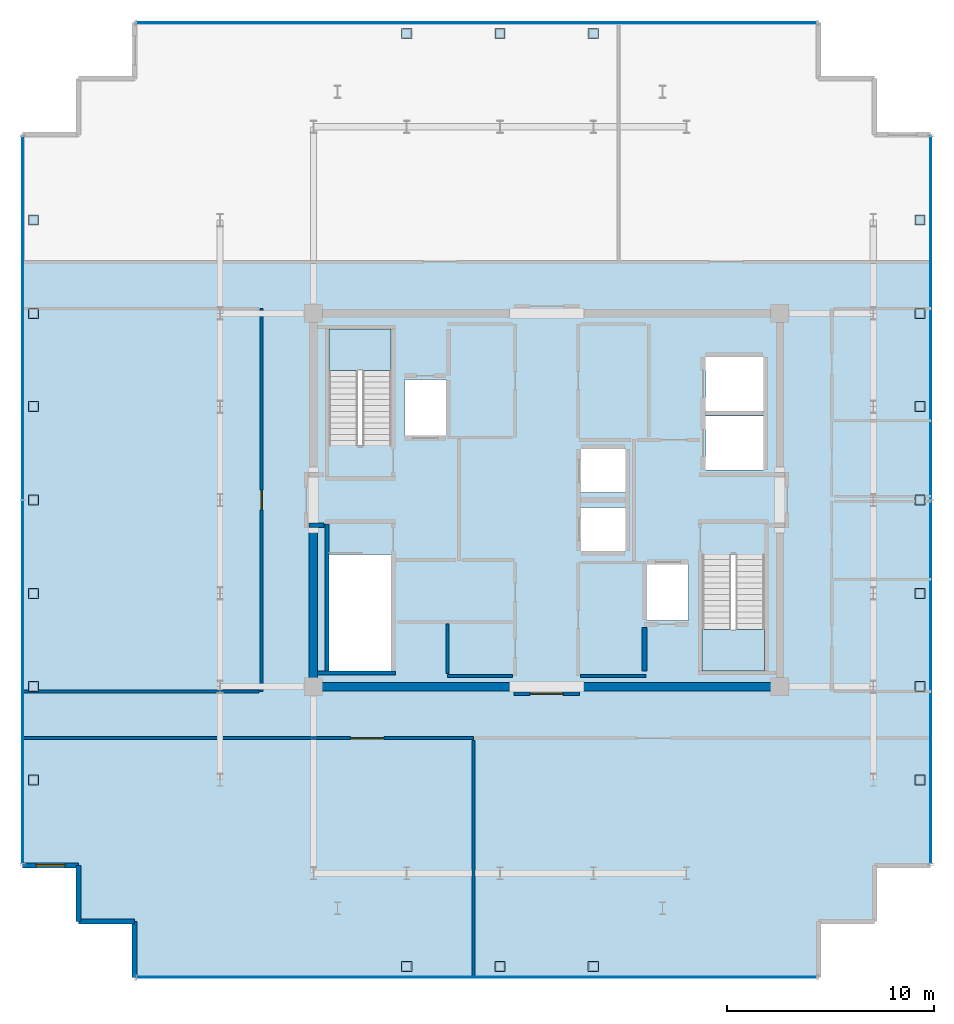
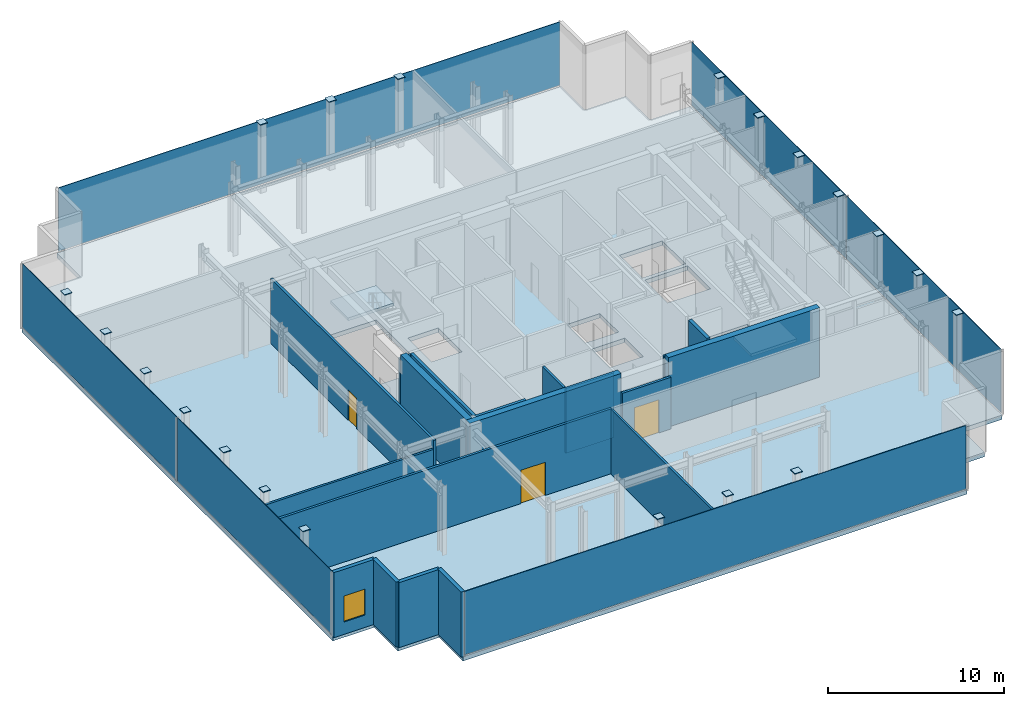
# One storey, part 12 of 17: 26 plates, 19 walls, 3 doors, 3 slabs, 1 window, 4 openings, 6 elements without a shape of their own.
"""IFC4 building model written with IfcOpenShell, lengths in metres."""

from ifc_helpers import new_model, si_unit, direction, frame, frame_2d, origin, origin_2d, place, context, subcontext, project, spatial, polyline, rectangle, outline, extrude, source, transform, mapped, material, layer, layer_set, type_object, element, fill, aggregate, save


model = new_model("IFC4")

# Units and contexts
model_context = context("Model", 3, precision=1e-05, world=origin(), true_north=direction((0.0, 1.0)))
body_context = subcontext(model_context, "Body", "Model", "MODEL_VIEW")
ifc_project = project(units=[si_unit("LENGTHUNIT", "METRE"), si_unit("AREAUNIT", "SQUARE_METRE"), si_unit("VOLUMEUNIT", "CUBIC_METRE"), si_unit("PLANEANGLEUNIT", "RADIAN"), si_unit("MASSUNIT", "GRAM", prefix="KILO")], contexts=[model_context])

# Site, building, storey
site_placement = place(None, origin())
site = spatial("IfcSite", under=ifc_project, at=site_placement, CompositionType="ELEMENT")
building_placement = place(site_placement, origin())
building = spatial("IfcBuilding", under=site, at=building_placement, Name="Nefas-Gora Pilgrimage Tower", CompositionType="ELEMENT")
storey_placement = place(building_placement, frame((0.0, 0.0, 353.800048828125)))
storey = spatial("IfcBuildingStorey", under=building, at=storey_placement, Name="L89", CompositionType="ELEMENT", Elevation=353.800048828125)

# Slab
ifc_material_1 = material(Name="Concrete C45/55", Category="concrete")
ifc_layer_1 = layer(ifc_material_1, 0.300048828125)
ifc_layer_set_1 = layer_set([ifc_layer_1], Name="Concrete C45/55")
slab_type_1 = type_object("IfcSlabType", Name="SLB-SPEC-300", PredefinedType="FLOOR", material=ifc_layer_set_1)
slab_1_placement = place(storey_placement, frame((0.0, 0.0, -0.300048828125)))
element("IfcSlab", 1, at=slab_1_placement, inside=storey, type_object=slab_type_1, Name="L89 Structural Floor Slab", PredefinedType="FLOOR", context=body_context, shape_type="SweptSolid", body=[
    extrude(outline(polyline([(18.52001953125, 17.6201171875), (15.820068359375, 17.6201171875), (15.820068359375, 20.320068359375), (13.1201171875, 20.320068359375), (13.1201171875, 23.02001953125), (-19.8701171875, 23.02001953125), (-19.8701171875, 20.320068359375), (-22.570068359375, 20.320068359375), (-22.570068359375, 17.6201171875), (-25.27001953125, 17.6201171875), (-25.27001953125, -17.6201171875), (-22.570068359375, -17.6201171875), (-22.570068359375, -20.320068359375), (-19.8701171875, -20.320068359375), (-19.8701171875, -23.02001953125), (13.1201171875, -23.02001953125), (13.1201171875, -20.320068359375), (15.820068359375, -20.320068359375), (15.820068359375, -17.6201171875), (18.52001953125, -17.6201171875), (18.52001953125, 17.6201171875)]), holes=[polyline([(-10.5, 2.639892578125), (-10.5, 8.25), (-7.5, 8.25), (-7.5, 2.639892578125), (-10.5, 2.639892578125)]), polyline([(10.5, -2.639892578125), (10.5, -8.25), (7.5, -8.25), (7.5, -2.639892578125), (10.5, -2.639892578125)]), polyline([(-7.5, -2.639892578125), (-7.5, -8.25), (-10.5, -8.25), (-10.5, -2.639892578125), (-7.5, -2.639892578125)]), polyline([(-6.85009765625, 5.800048828125), (-4.85009765625, 5.800048828125), (-4.85009765625, 3.10009765625), (-6.85009765625, 3.10009765625), (-6.85009765625, 5.800048828125)]), polyline([(4.85009765625, -3.10009765625), (6.85009765625, -3.10009765625), (6.85009765625, -5.800048828125), (4.85009765625, -5.800048828125), (4.85009765625, -3.10009765625)]), polyline([(7.64990234375, 4.050048828125), (10.449951171875, 4.050048828125), (10.449951171875, 1.449951171875), (7.64990234375, 1.449951171875), (7.64990234375, 4.050048828125)]), polyline([(7.64990234375, 6.89990234375), (10.449951171875, 6.89990234375), (10.449951171875, 4.300048828125), (7.64990234375, 4.300048828125), (7.64990234375, 6.89990234375)]), polyline([(1.64990234375, -0.35009765625), (3.800048828125, -0.35009765625), (3.800048828125, -2.449951171875), (1.64990234375, -2.449951171875), (1.64990234375, -0.35009765625)]), polyline([(1.64990234375, 2.449951171875), (3.800048828125, 2.449951171875), (3.800048828125, 0.35009765625), (1.64990234375, 0.35009765625), (1.64990234375, 2.449951171875)])]), origin(), (0.0, 0.0, 1.0), 0.300048828125),
])

# Stair, slab
stair_type = type_object("IfcStairType", Name="STR-1400-R1714", PredefinedType="HALF_TURN_STAIR", material=ifc_material_1)
stair_1_placement = place(storey_placement, origin())
stair_1 = element("IfcStair", 2, at=stair_1_placement, inside=storey, type_object=stair_type, Name="L89 Pressurised Tower Exit Stair ST-01", PredefinedType="HALF_TURN_STAIR")
ifc_material_2 = material(Name="Concrete C40/50", Category="concrete")
ifc_layer_2 = layer(ifc_material_2, 0.199951171875)
ifc_layer_set_2 = layer_set([ifc_layer_2], Name="Concrete C40/50")
slab_type_2 = type_object("IfcSlabType", Name="STR-LAND-200", PredefinedType="LANDING", material=ifc_layer_set_2)
slab_2_placement = place(storey_placement, frame((0.0, 0.0, 2.199951171875)))
slab_2 = element("IfcSlab", 3, at=slab_2_placement, type_object=slab_type_2, Name="ST-01 landing 1", PredefinedType="LANDING", context=body_context, shape_type="SweptSolid", body=[
    extrude(outline(polyline([(-7.5, 6.239990234375), (-7.5, 8.25), (-10.5, 8.25), (-10.5, 6.239990234375), (-7.5, 6.239990234375)])), origin(), (0.0, 0.0, 1.0), 0.199951171875),
])
aggregate(stair_1, [slab_2])

stair_2_placement = place(storey_placement, origin())
stair_2 = element("IfcStair", 4, at=stair_2_placement, inside=storey, type_object=stair_type, Name="L89 Pressurised Tower Exit Stair ST-02", PredefinedType="HALF_TURN_STAIR")
slab_3_placement = place(storey_placement, frame((0.0, 0.0, 2.199951171875)))
slab_3 = element("IfcSlab", 5, at=slab_3_placement, type_object=slab_type_2, Name="ST-02 landing 1", PredefinedType="LANDING", context=body_context, shape_type="SweptSolid", body=[
    extrude(outline(polyline([(7.5, -6.239990234375), (7.5, -8.25), (10.5, -8.25), (10.5, -6.239990234375), (7.5, -6.239990234375)])), origin(), (0.0, 0.0, 1.0), 0.199951171875),
])
aggregate(stair_2, [slab_3])

# Plates
ifc_material_3 = material(Name="Steel S460", Category="steel")
ifc_layer_3 = layer(ifc_material_3, 0.0400390625)
ifc_layer_set_3 = layer_set([ifc_layer_3], Name="Steel S460")
plate_type_1 = type_object("IfcPlateType", Name="PLT-ENDCAP-40", PredefinedType="SHEET", material=ifc_layer_set_3)
shared_shape_1 = source(origin(), body_context, "Body", "SweptSolid", [
    extrude(rectangle(XDim=0.488037109375, YDim=0.47998046875, at=origin_2d()), origin(), (0.0, 0.0, 1.0), 0.050048828125),
])
for number, where, z_axis, x_axis, name in (
    (6, (-24.75, -13.5, 4.77490234375), (0.0, 0.0, 1.0), (1.0, 0.0, 0.0), "L89 Setback Hollow Column Top Cap Plate 56"),
    (7, (-24.75, -9.0, 4.77490234375), (0.0, 0.0, 1.0), (1.0, 0.0, 0.0), "L89 Setback Hollow Column Top Cap Plate 57"),
    (8, (-24.75, -4.5, 4.77490234375), (0.0, 0.0, 1.0), (1.0, 0.0, 0.0), "L89 Setback Hollow Column Top Cap Plate 58"),
    (9, (-24.75, 0.0, 4.77490234375), (0.0, 0.0, 1.0), (1.0, 0.0, 0.0), "L89 Setback Hollow Column Top Cap Plate 59"),
    (10, (-24.75, 4.5, 4.77490234375), (0.0, 0.0, 1.0), (1.0, 0.0, 0.0), "L89 Setback Hollow Column Top Cap Plate 60"),
    (11, (-24.75, 9.0, 4.77490234375), (0.0, 0.0, 1.0), (1.0, 0.0, 0.0), "L89 Setback Hollow Column Top Cap Plate 61"),
    (12, (-24.75, 13.5, 4.77490234375), (0.0, 0.0, 1.0), (1.0, 0.0, 0.0), "L89 Setback Hollow Column Top Cap Plate 62"),
    (13, (-6.75, -22.5, 4.77490234375), (0.0, 0.0, 1.0), (1.0, 0.0, 0.0), "L89 Setback Hollow Column Top Cap Plate 63"),
    (14, (-6.75, 22.5, 4.77490234375), (0.0, 0.0, 1.0), (1.0, 0.0, 0.0), "L89 Setback Hollow Column Top Cap Plate 64"),
    (15, (-2.25, -22.5, 4.77490234375), (0.0, 0.0, 1.0), (1.0, 0.0, 0.0), "L89 Setback Hollow Column Top Cap Plate 65"),
    (16, (-2.25, 22.5, 4.77490234375), (0.0, 0.0, 1.0), (1.0, 0.0, 0.0), "L89 Setback Hollow Column Top Cap Plate 66"),
    (17, (2.25, -22.5, 4.77490234375), (0.0, 0.0, 1.0), (1.0, 0.0, 0.0), "L89 Setback Hollow Column Top Cap Plate 67"),
    (18, (2.25, 22.5, 4.77490234375), (0.0, 0.0, 1.0), (1.0, 0.0, 0.0), "L89 Setback Hollow Column Top Cap Plate 68"),
    (19, (18.0, -13.5, 4.77490234375), (0.0, 0.0, 1.0), (1.0, 0.0, 0.0), "L89 Setback Hollow Column Top Cap Plate 69"),
    (20, (18.0, -9.0, 4.77490234375), (0.0, 0.0, 1.0), (1.0, 0.0, 0.0), "L89 Setback Hollow Column Top Cap Plate 70"),
    (21, (18.0, -4.5, 4.77490234375), (0.0, 0.0, 1.0), (1.0, 0.0, 0.0), "L89 Setback Hollow Column Top Cap Plate 71"),
    (22, (18.0, 0.0, 4.77490234375), (0.0, 0.0, 1.0), (1.0, 0.0, 0.0), "L89 Setback Hollow Column Top Cap Plate 72"),
    (23, (18.0, 4.5, 4.77490234375), (0.0, 0.0, 1.0), (1.0, 0.0, 0.0), "L89 Setback Hollow Column Top Cap Plate 73"),
    (24, (18.0, 9.0, 4.77490234375), (0.0, 0.0, 1.0), (1.0, 0.0, 0.0), "L89 Setback Hollow Column Top Cap Plate 74"),
    (25, (18.0, 13.5, 4.77490234375), (0.0, 0.0, 1.0), (1.0, 0.0, 0.0), "L89 Setback Hollow Column Top Cap Plate 75"),
):
    element("IfcPlate", number, at=place(storey_placement, frame(where, z_axis=z_axis, x_axis=x_axis)), inside=storey, type_object=plate_type_1, Name=name, PredefinedType="SHEET", context=body_context, shape_type="MappedRepresentation", body=[
        mapped(shared_shape_1, transform((0.0, 0.0, 0.0), x_axis=(1.0, 0.0, 0.0), y_axis=(0.0, 1.0, 0.0), z_axis=(0.0, 0.0, 1.0), scale=1.0)),
    ])

# Curtain wall, plate
ifc_material_4 = material(Name="Dark ceramic-fritted solar-control aluminium-glass curtain wall", Category="aluminium")
ifc_layer_4 = layer(ifc_material_4, 0.219970703125)
ifc_layer_set_4 = layer_set([ifc_layer_4], Name="Dark ceramic-fritted solar-control aluminium-glass curtain wall")
curtain_wall_type = type_object("IfcCurtainWallType", Name="CW-SYS-6", PredefinedType="NOTDEFINED", material=ifc_layer_set_4)
curtain_wall_1_placement = place(storey_placement, origin())
curtain_wall_1 = element("IfcCurtainWall", 26, at=curtain_wall_1_placement, inside=storey, type_object=curtain_wall_type, Name="L89 Unitised Curtain Wall CW6", PredefinedType="NOTDEFINED")
ifc_material_5 = material(Name="Dark ceramic-printed low-e insulated glass", Category="glass")
ifc_layer_5 = layer(ifc_material_5, 0.0400390625)
ifc_layer_set_5 = layer_set([ifc_layer_5], Name="Dark ceramic-printed low-e insulated glass")
plate_type_2 = type_object("IfcPlateType", Name="CWP-PNL-6", PredefinedType="CURTAIN_PANEL", material=ifc_layer_set_5)
shared_shape_2 = source(origin(), body_context, "Body", "SweptSolid", [
    extrude(rectangle(XDim=32.81005859375, YDim=0.0400390625, at=origin_2d()), origin(), (0.0, 0.0, 1.0), 4.389892578125),
])
plate_1_placement = place(storey_placement, frame((-3.375, 23.02001953125, 0.10009765625), z_axis=(0.0, 0.0, 1.0), x_axis=(-1.0, 0.0, 0.0)))
plate_1 = element("IfcPlate", 27, at=plate_1_placement, type_object=plate_type_2, Name="CW6 Ceramic-Fritted Glazing Panel 1", PredefinedType="CURTAIN_PANEL", context=body_context, shape_type="MappedRepresentation", body=[
    mapped(shared_shape_2, transform((0.0, 0.0, 0.0), x_axis=(1.0, 0.0, 0.0), y_axis=(0.0, 1.0, 0.0), z_axis=(0.0, 0.0, 1.0), scale=1.0)),
])
aggregate(curtain_wall_1, [plate_1])

curtain_wall_2_placement = place(storey_placement, origin())
curtain_wall_2 = element("IfcCurtainWall", 28, at=curtain_wall_2_placement, inside=storey, type_object=curtain_wall_type, Name="L89 Unitised Curtain Wall CW6", PredefinedType="NOTDEFINED")
plate_2_placement = place(storey_placement, frame((-3.375, -23.02001953125, 0.10009765625), z_axis=(0.0, 0.0, 1.0), x_axis=(1.0, 0.0, 0.0)))
plate_2 = element("IfcPlate", 29, at=plate_2_placement, type_object=plate_type_2, Name="CW6 Ceramic-Fritted Glazing Panel 1", PredefinedType="CURTAIN_PANEL", context=body_context, shape_type="MappedRepresentation", body=[
    mapped(shared_shape_2, transform((0.0, 0.0, 0.0), x_axis=(1.0, 0.0, 0.0), y_axis=(0.0, 1.0, 0.0), z_axis=(0.0, 0.0, 1.0), scale=1.0)),
])
aggregate(curtain_wall_2, [plate_2])

# Curtain wall, plates
curtain_wall_3_placement = place(storey_placement, origin())
curtain_wall_3 = element("IfcCurtainWall", 30, at=curtain_wall_3_placement, inside=storey, type_object=curtain_wall_type, Name="L89 Unitised Curtain Wall CW6", PredefinedType="NOTDEFINED")
shared_shape_3 = source(origin(), body_context, "Body", "SweptSolid", [
    extrude(rectangle(XDim=17.485107421875, YDim=0.0400390625, at=origin_2d()), origin(), (0.0, 0.0, 1.0), 4.389892578125),
])
plate_3_placement = place(storey_placement, frame((-25.27001953125, 8.78759765625, 0.10009765625), z_axis=(0.0, 0.0, 1.0), x_axis=(0.0, -1.0, 0.0)))
plate_3 = element("IfcPlate", 31, at=plate_3_placement, type_object=plate_type_2, Name="CW6 Ceramic-Fritted Glazing Panel 1", PredefinedType="CURTAIN_PANEL", context=body_context, shape_type="MappedRepresentation", body=[
    mapped(shared_shape_3, transform((0.0, 0.0, 0.0), x_axis=(1.0, 0.0, 0.0), y_axis=(0.0, 1.0, 0.0), z_axis=(0.0, 0.0, 1.0), scale=1.0)),
])
plate_4_placement = place(storey_placement, frame((-25.27001953125, -8.78759765625, 0.10009765625), z_axis=(0.0, 0.0, 1.0), x_axis=(0.0, -1.0, 0.0)))
plate_4 = element("IfcPlate", 32, at=plate_4_placement, type_object=plate_type_2, Name="CW6 Ceramic-Fritted Glazing Panel 2", PredefinedType="CURTAIN_PANEL", context=body_context, shape_type="MappedRepresentation", body=[
    mapped(shared_shape_3, transform((0.0, 0.0, 0.0), x_axis=(1.0, 0.0, 0.0), y_axis=(0.0, 1.0, 0.0), z_axis=(0.0, 0.0, 1.0), scale=1.0)),
])
aggregate(curtain_wall_3, [plate_3, plate_4])

curtain_wall_4_placement = place(storey_placement, origin())
curtain_wall_4 = element("IfcCurtainWall", 33, at=curtain_wall_4_placement, inside=storey, type_object=curtain_wall_type, Name="L89 Unitised Curtain Wall CW6", PredefinedType="NOTDEFINED")
plate_5_placement = place(storey_placement, frame((18.52001953125, -8.78759765625, 0.10009765625), z_axis=(0.0, 0.0, 1.0), x_axis=(0.0, 1.0, 0.0)))
plate_5 = element("IfcPlate", 34, at=plate_5_placement, type_object=plate_type_2, Name="CW6 Ceramic-Fritted Glazing Panel 1", PredefinedType="CURTAIN_PANEL", context=body_context, shape_type="MappedRepresentation", body=[
    mapped(shared_shape_3, transform((0.0, 0.0, 0.0), x_axis=(1.0, 0.0, 0.0), y_axis=(0.0, 1.0, 0.0), z_axis=(0.0, 0.0, 1.0), scale=1.0)),
])
plate_6_placement = place(storey_placement, frame((18.52001953125, 8.78759765625, 0.10009765625), z_axis=(0.0, 0.0, 1.0), x_axis=(0.0, 1.0, 0.0)))
plate_6 = element("IfcPlate", 35, at=plate_6_placement, type_object=plate_type_2, Name="CW6 Ceramic-Fritted Glazing Panel 2", PredefinedType="CURTAIN_PANEL", context=body_context, shape_type="MappedRepresentation", body=[
    mapped(shared_shape_3, transform((0.0, 0.0, 0.0), x_axis=(1.0, 0.0, 0.0), y_axis=(0.0, 1.0, 0.0), z_axis=(0.0, 0.0, 1.0), scale=1.0)),
])
aggregate(curtain_wall_4, [plate_5, plate_6])

# Walls
ifc_material_6 = material(Name="Concrete C50/60", Category="concrete")
ifc_layer_6 = layer(ifc_material_6, 0.39990234375)
ifc_layer_set_6 = layer_set([ifc_layer_6], Name="Concrete C50/60")
wall_type_1 = type_object("IfcWallType", Name="SW-CORE-400", PredefinedType="SHEAR", material=ifc_layer_set_6)
shared_shape_4 = source(origin(), body_context, "Body", "SweptSolid", [
    extrude(rectangle(XDim=9.89990234375, YDim=0.39990234375, at=frame_2d((4.949951171875, 0.0))), origin(), (0.0, 0.0, 1.0), 4.800048828125),
])
for number, where, z_axis, x_axis, name in (
    (36, (-11.449951171875, -9.0, 0.0), (0.0, 0.0, 1.0), (1.0, 0.0, 0.0), "L89 Core Shear Wall S-West"),
    (37, (1.550048828125, -9.0, 0.0), (0.0, 0.0, 1.0), (1.0, 0.0, 0.0), "L89 Core Shear Wall S-East"),
):
    element("IfcWall", number, at=place(storey_placement, frame(where, z_axis=z_axis, x_axis=x_axis)), inside=storey, type_object=wall_type_1, Name=name, PredefinedType="SHEAR", context=body_context, shape_type="MappedRepresentation", body=[
        mapped(shared_shape_4, transform((0.0, 0.0, 0.0), x_axis=(1.0, 0.0, 0.0), y_axis=(0.0, 1.0, 0.0), z_axis=(0.0, 0.0, 1.0), scale=1.0)),
    ])
shared_shape_5 = source(origin(), body_context, "Body", "SweptSolid", [
    extrude(rectangle(XDim=7.449951171875, YDim=0.39990234375, at=frame_2d((3.72509765625, 0.0))), origin(), (0.0, 0.0, 1.0), 4.800048828125),
])
wall_1_placement = place(storey_placement, frame((-11.25, -8.800048828125, 0.0), z_axis=(0.0, 0.0, 1.0), x_axis=(0.0, 1.0, 0.0)))
element("IfcWall", 38, at=wall_1_placement, inside=storey, type_object=wall_type_1, Name="L89 Core Shear Wall W-South", PredefinedType="SHEAR", context=body_context, shape_type="MappedRepresentation", body=[
    mapped(shared_shape_5, transform((0.0, 0.0, 0.0), x_axis=(1.0, 0.0, 0.0), y_axis=(0.0, 1.0, 0.0), z_axis=(0.0, 0.0, 1.0), scale=1.0)),
])

# Wall, opening, window
ifc_material_7 = material(Name="Precast concrete C45/55", Category="concrete")
ifc_layer_7 = layer(ifc_material_7, 0.239990234375)
ifc_layer_set_7 = layer_set([ifc_layer_7], Name="Precast concrete C45/55")
wall_type_2 = type_object("IfcWallType", Name="EW-SERR-240", PredefinedType="SHEAR", material=ifc_layer_set_7)
shared_shape_6 = source(origin(), body_context, "Body", "SweptSolid", [
    extrude(rectangle(XDim=2.699951171875, YDim=0.239990234375, at=frame_2d((1.35009765625, 0.0))), origin(), (0.0, 0.0, 1.0), 4.5),
])
wall_2_placement = place(storey_placement, frame((-25.27001953125, -17.6201171875, 0.0), z_axis=(0.0, 0.0, 1.0), x_axis=(1.0, 0.0, 0.0)))
wall_2 = element("IfcWall", 39, at=wall_2_placement, inside=storey, type_object=wall_type_2, Name="L89 Serrated Corner Shear Pier Wall 9", PredefinedType="SHEAR", context=body_context, shape_type="MappedRepresentation", body=[
    mapped(shared_shape_6, transform((0.0, 0.0, 0.0), x_axis=(1.0, 0.0, 0.0), y_axis=(0.0, 1.0, 0.0), z_axis=(0.0, 0.0, 1.0), scale=1.0)),
])
opening_1_placement = place(wall_2_placement, frame((0.64990234375, 0.0, 0.85009765625)))
opening_1 = element("IfcOpeningElement", 40, at=opening_1_placement, cuts=wall_2, Name="Opening W-V2", PredefinedType="OPENING", context=body_context, shape_type="SweptSolid", body=[
    extrude(rectangle(XDim=1.39990234375, YDim=1.800048828125, at=frame_2d((0.699951171875, 0.89990234375))), frame((0.0, 0.1298828125, 0.0), z_axis=(0.0, -1.0, 0.0), x_axis=(1.0, 0.0, 0.0)), (0.0, 0.0, 1.0), 0.260009765625),
])
ifc_material_8 = material(Name="Dark ceramic-fritted operable aluminium-glass window", Category="aluminium")
window_type = type_object("IfcWindowType", Name="WIN-VENT-1400x1800", PartitioningType="SINGLE_PANEL", PredefinedType="WINDOW", material=ifc_material_8)
shared_shape_7 = source(origin(), body_context, "Body", "SweptSolid", [
    extrude(rectangle(XDim=1.39990234375, YDim=1.800048828125, at=frame_2d((0.699951171875, 0.89990234375))), frame((0.0, 0.030029296875, 0.0), z_axis=(0.0, -1.0, 0.0), x_axis=(1.0, 0.0, 0.0)), (0.0, 0.0, 1.0), 0.06005859375),
])
window_placement = place(opening_1_placement, origin())
window = element("IfcWindow", 41, at=window_placement, inside=storey, type_object=window_type, Name="L89 Operable Parallel-Outswing Window 9", OverallHeight=1.800048828125, OverallWidth=1.39990234375, PartitioningType="SINGLE_PANEL", PredefinedType="WINDOW", context=body_context, shape_type="MappedRepresentation", body=[
    mapped(shared_shape_7, transform((0.0, 0.0, 0.0), x_axis=(1.0, 0.0, 0.0), y_axis=(0.0, 1.0, 0.0), z_axis=(0.0, 0.0, 1.0), scale=1.0)),
])
fill(opening_1, window)

# Walls
for number, where, z_axis, x_axis, name in (
    (42, (-22.570068359375, -17.6201171875, 0.0), (0.0, 0.0, 1.0), (0.0, -1.0, 0.0), "L89 Serrated Corner Shear Pier Wall 10"),
    (43, (-22.570068359375, -20.320068359375, 0.0), (0.0, 0.0, 1.0), (1.0, 0.0, 0.0), "L89 Serrated Corner Shear Pier Wall 11"),
    (44, (-19.8701171875, -20.320068359375, 0.0), (0.0, 0.0, 1.0), (0.0, -1.0, 0.0), "L89 Serrated Corner Shear Pier Wall 12"),
):
    element("IfcWall", number, at=place(storey_placement, frame(where, z_axis=z_axis, x_axis=x_axis)), inside=storey, type_object=wall_type_2, Name=name, PredefinedType="SHEAR", context=body_context, shape_type="MappedRepresentation", body=[
        mapped(shared_shape_6, transform((0.0, 0.0, 0.0), x_axis=(1.0, 0.0, 0.0), y_axis=(0.0, 1.0, 0.0), z_axis=(0.0, 0.0, 1.0), scale=1.0)),
    ])
ifc_layer_8 = layer(ifc_material_1, 0.199951171875)
ifc_layer_set_8 = layer_set([ifc_layer_8], Name="Concrete C45/55")
wall_type_3 = type_object("IfcWallType", Name="IW-STAIR-200", PredefinedType="SOLIDWALL", material=ifc_layer_set_8)
shared_shape_8 = source(origin(), body_context, "Body", "SweptSolid", [
    extrude(rectangle(XDim=7.10009765625, YDim=0.199951171875, at=frame_2d((3.550048828125, 0.0))), origin(), (0.0, 0.0, 1.0), 4.5),
])
wall_3_placement = place(storey_placement, frame((-10.60009765625, -1.14990234375, 0.0), z_axis=(0.0, 0.0, 1.0), x_axis=(0.0, -1.0, 0.0)))
element("IfcWall", 45, at=wall_3_placement, inside=storey, type_object=wall_type_3, Name="L89 Stairwell Shear Wall ST-03-left", PredefinedType="SOLIDWALL", context=body_context, shape_type="MappedRepresentation", body=[
    mapped(shared_shape_8, transform((0.0, 0.0, 0.0), x_axis=(1.0, 0.0, 0.0), y_axis=(0.0, 1.0, 0.0), z_axis=(0.0, 0.0, 1.0), scale=1.0)),
])
shared_shape_9 = source(origin(), body_context, "Body", "SweptSolid", [
    extrude(rectangle(XDim=3.7548828125, YDim=0.199951171875, at=frame_2d((1.87744140625, 0.0))), origin(), (0.0, 0.0, 1.0), 4.5),
])
wall_4_placement = place(storey_placement, frame((-11.054931640625, -8.35009765625, 0.0), z_axis=(0.0, 0.0, 1.0), x_axis=(1.0, 0.0, 0.0)))
element("IfcWall", 46, at=wall_4_placement, inside=storey, type_object=wall_type_3, Name="L89 Stairwell Shear Wall ST-03-far", PredefinedType="SOLIDWALL", context=body_context, shape_type="MappedRepresentation", body=[
    mapped(shared_shape_9, transform((0.0, 0.0, 0.0), x_axis=(1.0, 0.0, 0.0), y_axis=(0.0, 1.0, 0.0), z_axis=(0.0, 0.0, 1.0), scale=1.0)),
])
ifc_material_9 = material(Name="Gypsum twin-stud partition")
ifc_layer_9 = layer(ifc_material_9, 0.139892578125)
ifc_layer_set_9 = layer_set([ifc_layer_9], Name="Gypsum twin-stud partition")
wall_type_4 = type_object("IfcWallType", Name="IW-UNIT-140", PredefinedType="PARTITIONING", material=ifc_layer_set_9)
shared_shape_10 = source(origin(), body_context, "Body", "SweptSolid", [
    extrude(rectangle(XDim=11.419921875, YDim=0.139892578125, at=frame_2d((5.7099609375, 0.0))), origin(), (0.0, 0.0, 1.0), 3.925048828125),
])
wall_5_placement = place(storey_placement, frame((-25.2900390625, -9.22998046875, 0.0), z_axis=(0.0, 0.0, 1.0), x_axis=(1.0, 0.0, 0.0)))
element("IfcWall", 47, at=wall_5_placement, inside=storey, type_object=wall_type_4, Name="L89 Heritage Exhibition Lounge Partition Wall 39", PredefinedType="PARTITIONING", context=body_context, shape_type="MappedRepresentation", body=[
    mapped(shared_shape_10, transform((0.0, 0.0, 0.0), x_axis=(1.0, 0.0, 0.0), y_axis=(0.0, 1.0, 0.0), z_axis=(0.0, 0.0, 1.0), scale=1.0)),
])

# Wall, opening, door
ifc_material_10 = material(Name="Gypsum acoustic stud partition")
ifc_layer_10 = layer(ifc_material_10, 0.159912109375)
ifc_layer_set_10 = layer_set([ifc_layer_10], Name="Gypsum acoustic stud partition")
wall_type_5 = type_object("IfcWallType", Name="IW-CORR-160", PredefinedType="PARTITIONING", material=ifc_layer_set_10)
shared_shape_11 = source(origin(), body_context, "Body", "SweptSolid", [
    extrude(rectangle(XDim=3.16015625, YDim=0.159912109375, at=frame_2d((1.580078125, 0.0))), origin(), (0.0, 0.0, 1.0), 3.574951171875),
])
wall_6_placement = place(storey_placement, frame((-1.580078125, -9.35009765625, 0.0), z_axis=(0.0, 0.0, 1.0), x_axis=(1.0, 0.0, 0.0)))
wall_6 = element("IfcWall", 48, at=wall_6_placement, inside=storey, type_object=wall_type_5, Name="L89 Central Lift Lobby South Portal Wall 18", PredefinedType="PARTITIONING", context=body_context, shape_type="MappedRepresentation", body=[
    mapped(shared_shape_11, transform((0.0, 0.0, 0.0), x_axis=(1.0, 0.0, 0.0), y_axis=(0.0, 1.0, 0.0), z_axis=(0.0, 0.0, 1.0), scale=1.0)),
])
opening_2_placement = place(wall_6_placement, frame((0.780029296875, 0.0, 0.0)))
opening_2 = element("IfcOpeningElement", 49, at=opening_2_placement, cuts=wall_6, Name="Opening ID-HL1", PredefinedType="OPENING", context=body_context, shape_type="SweptSolid", body=[
    extrude(rectangle(XDim=1.60009765625, YDim=2.300048828125, at=frame_2d((0.800048828125, 1.14990234375))), frame((0.0, 0.08984375, 0.0), z_axis=(0.0, -1.0, 0.0), x_axis=(1.0, 0.0, 0.0)), (0.0, 0.0, 1.0), 0.179931640625),
])
ifc_material_11 = material(Name="Double acoustic timber assembly hall door", Category="wood")
door_type_1 = type_object("IfcDoorType", Name="DR-INT-HALL-1600", OperationType="DOUBLE_DOOR_SINGLE_SWING", PredefinedType="DOOR", material=ifc_material_11)
shared_shape_12 = source(origin(), body_context, "Body", "SweptSolid", [
    extrude(rectangle(XDim=1.60009765625, YDim=2.300048828125, at=frame_2d((0.800048828125, 1.14990234375))), frame((0.0, 0.02490234375, 0.0), z_axis=(0.0, -1.0, 0.0), x_axis=(1.0, 0.0, 0.0)), (0.0, 0.0, 1.0), 0.050048828125),
])
door_1_placement = place(opening_2_placement, origin())
door_1 = element("IfcDoor", 50, at=door_1_placement, inside=storey, type_object=door_type_1, Name="L89 Central Lift Lobby South Portal Door 7", OperationType="DOUBLE_DOOR_SINGLE_SWING", OverallHeight=2.300048828125, OverallWidth=1.60009765625, PredefinedType="DOOR", context=body_context, shape_type="MappedRepresentation", body=[
    mapped(shared_shape_12, transform((0.0, 0.0, 0.0), x_axis=(1.0, 0.0, 0.0), y_axis=(0.0, 1.0, 0.0), z_axis=(0.0, 0.0, 1.0), scale=1.0)),
])
fill(opening_2, door_1)

# Walls
ifc_layer_11 = layer(ifc_material_2, 0.219970703125)
ifc_layer_set_11 = layer_set([ifc_layer_11], Name="Concrete C40/50")
wall_type_6 = type_object("IfcWallType", Name="IW-SHAFT-220", PredefinedType="SOLIDWALL", material=ifc_layer_set_11)
shared_shape_13 = source(origin(), body_context, "Body", "SweptSolid", [
    extrude(rectangle(XDim=2.10009765625, YDim=0.219970703125, at=frame_2d((1.050048828125, 0.0))), origin(), (0.0, 0.0, 1.0), 4.48486328125),
])
wall_7_placement = place(storey_placement, frame((4.719970703125, -8.25, 0.0), z_axis=(0.0, 0.0, 1.0), x_axis=(0.0, 1.0, 0.0)))
element("IfcWall", 51, at=wall_7_placement, inside=storey, type_object=wall_type_6, Name="L89 Riser Shaft Wall 4", PredefinedType="SOLIDWALL", context=body_context, shape_type="MappedRepresentation", body=[
    mapped(shared_shape_13, transform((0.0, 0.0, 0.0), x_axis=(1.0, 0.0, 0.0), y_axis=(0.0, 1.0, 0.0), z_axis=(0.0, 0.0, 1.0), scale=1.0)),
])
ifc_material_12 = material(Name="Gypsum fire-rated shaftwall")
ifc_layer_12 = layer(ifc_material_12, 0.199951171875)
ifc_layer_set_12 = layer_set([ifc_layer_12], Name="Gypsum fire-rated shaftwall")
wall_type_7 = type_object("IfcWallType", Name="IW-FFLOB-200", PredefinedType="PARTITIONING", material=ifc_layer_set_12)
shared_shape_14 = source(origin(), body_context, "Body", "SweptSolid", [
    extrude(rectangle(XDim=0.719970703125, YDim=0.199951171875, at=frame_2d((0.35986328125, 0.0))), origin(), (0.0, 0.0, 1.0), 4.48486328125),
])
wall_8_placement = place(storey_placement, frame((-11.4599609375, -1.219970703125, 0.0), z_axis=(0.0, 0.0, 1.0), x_axis=(1.0, 0.0, 0.0)))
element("IfcWall", 52, at=wall_8_placement, inside=storey, type_object=wall_type_7, Name="L89 FF Lobby West Throat S Wall 10", PredefinedType="PARTITIONING", context=body_context, shape_type="MappedRepresentation", body=[
    mapped(shared_shape_14, transform((0.0, 0.0, 0.0), x_axis=(1.0, 0.0, 0.0), y_axis=(0.0, 1.0, 0.0), z_axis=(0.0, 0.0, 1.0), scale=1.0)),
])
shared_shape_15 = source(origin(), body_context, "Body", "SweptSolid", [
    extrude(rectangle(XDim=3.150146484375, YDim=0.139892578125, at=frame_2d((1.5751953125, 0.0))), origin(), (0.0, 0.0, 1.0), 4.48486328125),
])
for number, where, z_axis, x_axis, name in (
    (53, (-4.7900390625, -8.47998046875, 0.0), (0.0, 0.0, 1.0), (1.0, 0.0, 0.0), "L89 Freed Bank-2 West Supply Vault Partition Wall 27"),
    (54, (1.639892578125, -8.47998046875, 0.0), (0.0, 0.0, 1.0), (1.0, 0.0, 0.0), "L89 Freed Bank-2 East Linen Store Partition Wall 31"),
):
    element("IfcWall", number, at=place(storey_placement, frame(where, z_axis=z_axis, x_axis=x_axis)), inside=storey, type_object=wall_type_4, Name=name, PredefinedType="PARTITIONING", context=body_context, shape_type="MappedRepresentation", body=[
        mapped(shared_shape_15, transform((0.0, 0.0, 0.0), x_axis=(1.0, 0.0, 0.0), y_axis=(0.0, 1.0, 0.0), z_axis=(0.0, 0.0, 1.0), scale=1.0)),
    ])
shared_shape_16 = source(origin(), body_context, "Body", "SweptSolid", [
    extrude(rectangle(XDim=2.380126953125, YDim=0.139892578125, at=frame_2d((1.18994140625, 0.0))), origin(), (0.0, 0.0, 1.0), 4.48486328125),
])
wall_9_placement = place(storey_placement, frame((-4.780029296875, -8.3701171875, 0.0), z_axis=(0.0, 0.0, 1.0), x_axis=(0.0, 1.0, 0.0)))
element("IfcWall", 55, at=wall_9_placement, inside=storey, type_object=wall_type_4, Name="L89 Freed Bank-2 West Supply Vault Partition Wall 28", PredefinedType="PARTITIONING", context=body_context, shape_type="MappedRepresentation", body=[
    mapped(shared_shape_16, transform((0.0, 0.0, 0.0), x_axis=(1.0, 0.0, 0.0), y_axis=(0.0, 1.0, 0.0), z_axis=(0.0, 0.0, 1.0), scale=1.0)),
])
shared_shape_17 = source(origin(), body_context, "Body", "SweptSolid", [
    extrude(rectangle(XDim=11.43994140625, YDim=0.139892578125, at=frame_2d((5.719970703125, 0.0))), origin(), (0.0, 0.0, 1.0), 4.48486328125),
])
wall_10_placement = place(storey_placement, frame((-3.530029296875, -23.0400390625, 0.0), z_axis=(0.0, 0.0, 1.0), x_axis=(0.0, 1.0, 0.0)))
element("IfcWall", 56, at=wall_10_placement, inside=storey, type_object=wall_type_4, Name="L89 Rift Valley South Observation Lookout Partition Wall 36", PredefinedType="PARTITIONING", context=body_context, shape_type="MappedRepresentation", body=[
    mapped(shared_shape_17, transform((0.0, 0.0, 0.0), x_axis=(1.0, 0.0, 0.0), y_axis=(0.0, 1.0, 0.0), z_axis=(0.0, 0.0, 1.0), scale=1.0)),
])

# Wall, opening, door
shared_shape_18 = source(origin(), body_context, "Body", "SweptSolid", [
    extrude(rectangle(XDim=21.77001953125, YDim=0.159912109375, at=frame_2d((10.885009765625, 0.0))), origin(), (0.0, 0.0, 1.0), 4.48486328125),
])
wall_11_placement = place(storey_placement, frame((-25.2900390625, -11.47998046875, 0.0), z_axis=(0.0, 0.0, 1.0), x_axis=(1.0, 0.0, 0.0)))
wall_11 = element("IfcWall", 57, at=wall_11_placement, inside=storey, type_object=wall_type_5, Name="L89 Rift Valley South Observation Lookout Partition Wall 35", PredefinedType="PARTITIONING", context=body_context, shape_type="MappedRepresentation", body=[
    mapped(shared_shape_18, transform((0.0, 0.0, 0.0), x_axis=(1.0, 0.0, 0.0), y_axis=(0.0, 1.0, 0.0), z_axis=(0.0, 0.0, 1.0), scale=1.0)),
])
opening_3_placement = place(wall_11_placement, frame((15.840087890625, 0.0, 0.0)))
opening_3 = element("IfcOpeningElement", 58, at=opening_3_placement, cuts=wall_11, Name="Opening ID-HL1", PredefinedType="OPENING", context=body_context, shape_type="SweptSolid", body=[
    extrude(rectangle(XDim=1.60009765625, YDim=2.300048828125, at=frame_2d((0.800048828125, 1.14990234375))), frame((0.0, 0.08984375, 0.0), z_axis=(0.0, -1.0, 0.0), x_axis=(1.0, 0.0, 0.0)), (0.0, 0.0, 1.0), 0.179931640625),
])
door_2_placement = place(opening_3_placement, origin())
door_2 = element("IfcDoor", 59, at=door_2_placement, inside=storey, type_object=door_type_1, Name="L89 Rift Valley South Observation Lookout Door 15", OperationType="DOUBLE_DOOR_SINGLE_SWING", OverallHeight=2.300048828125, OverallWidth=1.60009765625, PredefinedType="DOOR", context=body_context, shape_type="MappedRepresentation", body=[
    mapped(shared_shape_12, transform((0.0, 0.0, 0.0), x_axis=(1.0, 0.0, 0.0), y_axis=(0.0, 1.0, 0.0), z_axis=(0.0, 0.0, 1.0), scale=1.0)),
])
fill(opening_3, door_2)

shared_shape_19 = source(origin(), body_context, "Body", "SweptSolid", [
    extrude(rectangle(XDim=18.47998046875, YDim=0.159912109375, at=frame_2d((9.239990234375, 0.0))), origin(), (0.0, 0.0, 1.0), 4.48486328125),
])
wall_12_placement = place(storey_placement, frame((-13.75, -9.239990234375, 0.0), z_axis=(0.0, 0.0, 1.0), x_axis=(0.0, 1.0, 0.0)))
wall_12 = element("IfcWall", 60, at=wall_12_placement, inside=storey, type_object=wall_type_5, Name="L89 Heritage Exhibition Lounge Partition Wall 38", PredefinedType="PARTITIONING", context=body_context, shape_type="MappedRepresentation", body=[
    mapped(shared_shape_19, transform((0.0, 0.0, 0.0), x_axis=(1.0, 0.0, 0.0), y_axis=(0.0, 1.0, 0.0), z_axis=(0.0, 0.0, 1.0), scale=1.0)),
])
opening_4_placement = place(wall_12_placement, frame((8.764892578125, 0.0, 0.0)))
opening_4 = element("IfcOpeningElement", 61, at=opening_4_placement, cuts=wall_12, Name="Opening ID-GR1", PredefinedType="OPENING", context=body_context, shape_type="SweptSolid", body=[
    extrude(rectangle(XDim=0.949951171875, YDim=2.10009765625, at=frame_2d((0.47509765625, 1.050048828125))), frame((0.0, 0.08984375, 0.0), z_axis=(0.0, -1.0, 0.0), x_axis=(1.0, 0.0, 0.0)), (0.0, 0.0, 1.0), 0.179931640625),
])
ifc_material_13 = material(Name="Solid core oak fire-rated guest entrance door")
door_type_2 = type_object("IfcDoorType", Name="DR-INT-GUEST-950", OperationType="NOTDEFINED", PredefinedType="DOOR", material=ifc_material_13)
shared_shape_20 = source(origin(), body_context, "Body", "SweptSolid", [
    extrude(rectangle(XDim=0.949951171875, YDim=2.10009765625, at=frame_2d((0.47509765625, 1.050048828125))), frame((0.0, 0.02490234375, 0.0), z_axis=(0.0, -1.0, 0.0), x_axis=(1.0, 0.0, 0.0)), (0.0, 0.0, 1.0), 0.050048828125),
])
door_3_placement = place(opening_4_placement, origin())
door_3 = element("IfcDoor", 62, at=door_3_placement, inside=storey, type_object=door_type_2, Name="L89 Heritage Exhibition Lounge Door 17", OperationType="SINGLE_SWING_RIGHT", OverallHeight=2.10009765625, OverallWidth=0.949951171875, PredefinedType="DOOR", context=body_context, shape_type="MappedRepresentation", body=[
    mapped(shared_shape_20, transform((0.0, 0.0, 0.0), x_axis=(1.0, 0.0, 0.0), y_axis=(0.0, 1.0, 0.0), z_axis=(0.0, 0.0, 1.0), scale=1.0)),
])
fill(opening_4, door_3)

save(model, "model.ifc")
